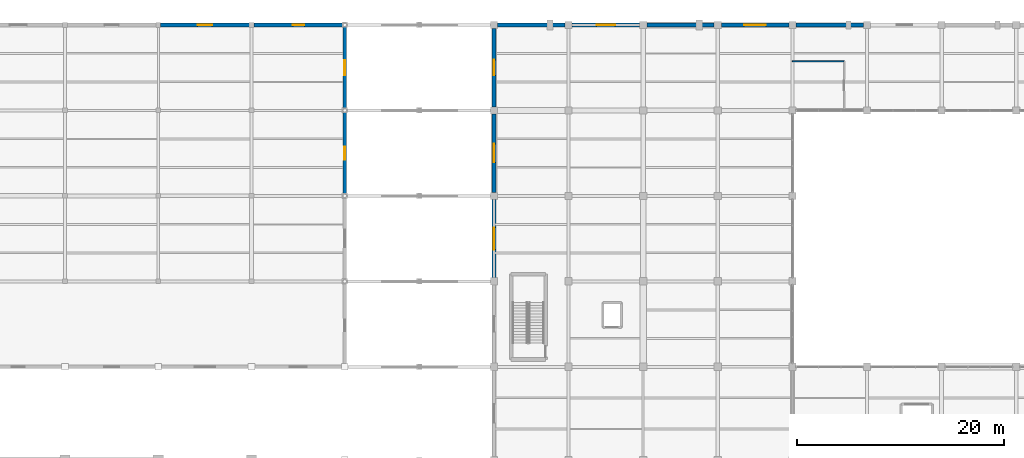
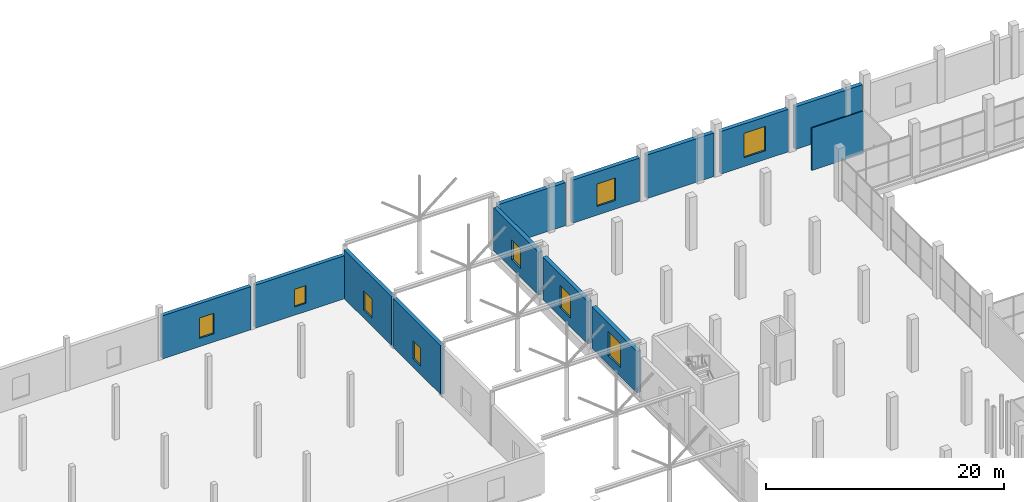
# One storey, part 134 of 147: 13 walls, 9 windows, 9 openings.
"""IFC4 building model written with IfcOpenShell, lengths in metres."""

from ifc_helpers import new_model, si_unit, direction, frame, frame_2d, origin, place, context, subcontext, project, spatial, rectangle, extrude, material, layer, layer_set, type_object, element, fill, save


model = new_model("IFC4")

# Units and contexts
model_context = context("Model", 3, precision=1e-05, world=origin(), true_north=direction((0.0, 1.0)))
body_context = subcontext(model_context, "Body", "Model", "MODEL_VIEW")
ifc_project = project(units=[si_unit("LENGTHUNIT", "METRE"), si_unit("AREAUNIT", "SQUARE_METRE"), si_unit("VOLUMEUNIT", "CUBIC_METRE"), si_unit("PLANEANGLEUNIT", "RADIAN"), si_unit("MASSUNIT", "GRAM", prefix="KILO")], contexts=[model_context])

# Site, building, storey
site_placement = place(None, origin())
site = spatial("IfcSite", under=ifc_project, at=site_placement, CompositionType="ELEMENT")
building_placement = place(site_placement, origin())
building = spatial("IfcBuilding", under=site, at=building_placement, Name="Sundgate Opera House", CompositionType="ELEMENT")
storey_placement = place(building_placement, frame((0.0, 0.0, 6.0)))
storey = spatial("IfcBuildingStorey", under=building, at=storey_placement, Name="L01", CompositionType="ELEMENT", Elevation=6.0)

# Wall, opening, window
ifc_material_1 = material(Name="Scanian red-brown facing brick masonry", Category="masonry")
ifc_layer_1 = layer(ifc_material_1, 0.360107421875)
ifc_layer_set_1 = layer_set([ifc_layer_1], Name="Scanian red-brown facing brick masonry")
wall_type_1 = type_object("IfcWallType", Name="WL-EXT-BRICK-360", PredefinedType="SOLIDWALL", material=ifc_layer_set_1)
wall_1_placement = place(storey_placement, frame((63.219970703125, 120.0, 0.0), z_axis=(0.0, 0.0, 1.0), x_axis=(1.0, 0.0, 0.0)))
wall_1 = element("IfcWall", 1, at=wall_1_placement, inside=storey, type_object=wall_type_1, Name="L01 Costume Wing North Wall W0383", PredefinedType="SOLIDWALL", context=body_context, shape_type="SweptSolid", body=[
    extrude(rectangle(XDim=8.56005859375, YDim=0.360107421875, at=frame_2d((4.280029296875, 0.0))), origin(), (0.0, 0.0, 1.0), 4.4150390625),
])
opening_1_placement = place(wall_1_placement, frame((3.580078125, 0.0, 0.85009765625)))
opening_1 = element("IfcOpeningElement", 2, at=opening_1_placement, cuts=wall_1, Name="Opening W11", PredefinedType="OPENING", context=body_context, shape_type="SweptSolid", body=[
    extrude(rectangle(XDim=1.39990234375, YDim=2.10009765625, at=frame_2d((0.699951171875, 1.050048828125))), frame((0.0, 0.18994140625, 0.0), z_axis=(0.0, -1.0, 0.0), x_axis=(1.0, 0.0, 0.0)), (0.0, 0.0, 1.0), 0.380126953125),
])
ifc_material_2 = material(Name="Low-iron triple glazing in patinated bronze frame", Category="glass")
window_type_1 = type_object("IfcWindowType", Name="WN-FOYR-1400x2100", PartitioningType="SINGLE_PANEL", PredefinedType="WINDOW", material=ifc_material_2)
window_1_placement = place(opening_1_placement, origin())
window_1 = element("IfcWindow", 3, at=window_1_placement, inside=storey, type_object=window_type_1, Name="L01 Costume Pavilion Window WN0297", OverallHeight=2.10009765625, OverallWidth=1.39990234375, PartitioningType="SINGLE_PANEL", PredefinedType="WINDOW", context=body_context, shape_type="SweptSolid", body=[
    extrude(rectangle(XDim=1.39990234375, YDim=2.10009765625, at=frame_2d((0.699951171875, 1.050048828125))), frame((0.0, 0.030029296875, 0.0), z_axis=(0.0, -1.0, 0.0), x_axis=(1.0, 0.0, 0.0)), (0.0, 0.0, 1.0), 0.06005859375),
])
fill(opening_1, window_1)

wall_2_placement = place(storey_placement, frame((72.219970703125, 120.0, 0.0), z_axis=(0.0, 0.0, 1.0), x_axis=(1.0, 0.0, 0.0)))
wall_2 = element("IfcWall", 4, at=wall_2_placement, inside=storey, type_object=wall_type_1, Name="L01 Costume Wing North Wall W0384", PredefinedType="SOLIDWALL", context=body_context, shape_type="SweptSolid", body=[
    extrude(rectangle(XDim=8.64794921875, YDim=0.360107421875, at=frame_2d((4.323974609375, 0.0))), origin(), (0.0, 0.0, 1.0), 4.4150390625),
])
opening_2_placement = place(wall_2_placement, frame((3.77392578125, 0.0, 0.85009765625)))
opening_2 = element("IfcOpeningElement", 5, at=opening_2_placement, cuts=wall_2, Name="Opening W12", PredefinedType="OPENING", context=body_context, shape_type="SweptSolid", body=[
    extrude(rectangle(XDim=1.10009765625, YDim=1.800048828125, at=frame_2d((0.550048828125, 0.89990234375))), frame((0.0, 0.18994140625, 0.0), z_axis=(0.0, -1.0, 0.0), x_axis=(1.0, 0.0, 0.0)), (0.0, 0.0, 1.0), 0.380126953125),
])
ifc_material_3 = material(Name="Low-iron triple glazing in patinated bronze frame", Category="glass")
window_type_2 = type_object("IfcWindowType", Name="WN-STAGE-1100x1800", PartitioningType="SINGLE_PANEL", PredefinedType="WINDOW", material=ifc_material_3)
window_2_placement = place(opening_2_placement, origin())
window_2 = element("IfcWindow", 6, at=window_2_placement, inside=storey, type_object=window_type_2, Name="L01 Costume Pavilion Window WN0298", OverallHeight=1.800048828125, OverallWidth=1.10009765625, PartitioningType="SINGLE_PANEL", PredefinedType="WINDOW", context=body_context, shape_type="SweptSolid", body=[
    extrude(rectangle(XDim=1.10009765625, YDim=1.800048828125, at=frame_2d((0.550048828125, 0.89990234375))), frame((0.0, 0.030029296875, 0.0), z_axis=(0.0, -1.0, 0.0), x_axis=(1.0, 0.0, 0.0)), (0.0, 0.0, 1.0), 0.06005859375),
])
fill(opening_2, window_2)

wall_3_placement = place(storey_placement, frame((81.0, 103.632080078125, 0.0), z_axis=(0.0, 0.0, 1.0), x_axis=(0.0, 1.0, 0.0)))
wall_3 = element("IfcWall", 7, at=wall_3_placement, inside=storey, type_object=wall_type_1, Name="L01 Costume Wing East Wall W0391", PredefinedType="SOLIDWALL", context=body_context, shape_type="SweptSolid", body=[
    extrude(rectangle(XDim=7.98583984375, YDim=0.360107421875, at=frame_2d((3.992919921875, 0.0))), origin(), (0.0, 0.0, 1.0), 5.014892578125),
])
opening_3_placement = place(wall_3_placement, frame((3.367919921875, 0.0, 0.85009765625)))
opening_3 = element("IfcOpeningElement", 8, at=opening_3_placement, cuts=wall_3, Name="Opening W14", PredefinedType="OPENING", context=body_context, shape_type="SweptSolid", body=[
    extrude(rectangle(XDim=1.25, YDim=1.85009765625, at=frame_2d((0.625, 0.925048828125))), frame((0.0, 0.18994140625, 0.0), z_axis=(0.0, -1.0, 0.0), x_axis=(1.0, 0.0, 0.0)), (0.0, 0.0, 1.0), 0.380126953125),
])
ifc_material_4 = material(Name="Low-iron triple glazing in patinated bronze frame", Category="glass")
window_type_3 = type_object("IfcWindowType", Name="WN-DRES-1250x1850", PartitioningType="SINGLE_PANEL", PredefinedType="WINDOW", material=ifc_material_4)
window_3_placement = place(opening_3_placement, origin())
window_3 = element("IfcWindow", 9, at=window_3_placement, inside=storey, type_object=window_type_3, Name="L01 Costume Pavilion Window WN0305", OverallHeight=1.85009765625, OverallWidth=1.25, PartitioningType="SINGLE_PANEL", PredefinedType="WINDOW", context=body_context, shape_type="SweptSolid", body=[
    extrude(rectangle(XDim=1.25, YDim=1.85009765625, at=frame_2d((0.625, 0.925048828125))), frame((0.0, 0.030029296875, 0.0), z_axis=(0.0, -1.0, 0.0), x_axis=(1.0, 0.0, 0.0)), (0.0, 0.0, 1.0), 0.06005859375),
])
fill(opening_3, window_3)

wall_4_placement = place(storey_placement, frame((81.0, 111.882080078125, 0.0), z_axis=(0.0, 0.0, 1.0), x_axis=(0.0, 1.0, 0.0)))
wall_4 = element("IfcWall", 10, at=wall_4_placement, inside=storey, type_object=wall_type_1, Name="L01 Costume Wing East Wall W0392", PredefinedType="SOLIDWALL", context=body_context, shape_type="SweptSolid", body=[
    extrude(rectangle(XDim=7.98583984375, YDim=0.360107421875, at=frame_2d((3.992919921875, 0.0))), origin(), (0.0, 0.0, 1.0), 5.014892578125),
])
opening_4_placement = place(wall_4_placement, frame((3.26806640625, 0.0, 0.85009765625)))
opening_4 = element("IfcOpeningElement", 11, at=opening_4_placement, cuts=wall_4, Name="Opening W15", PredefinedType="OPENING", context=body_context, shape_type="SweptSolid", body=[
    extrude(rectangle(XDim=1.449951171875, YDim=1.949951171875, at=frame_2d((0.72509765625, 0.97509765625))), frame((0.0, 0.18994140625, 0.0), z_axis=(0.0, -1.0, 0.0), x_axis=(1.0, 0.0, 0.0)), (0.0, 0.0, 1.0), 0.380126953125),
])
ifc_material_5 = material(Name="Low-iron triple glazing in patinated bronze frame", Category="glass")
window_type_4 = type_object("IfcWindowType", Name="WN-LIBR-1450x1950", PartitioningType="SINGLE_PANEL", PredefinedType="WINDOW", material=ifc_material_5)
window_4_placement = place(opening_4_placement, origin())
window_4 = element("IfcWindow", 12, at=window_4_placement, inside=storey, type_object=window_type_4, Name="L01 Costume Pavilion Window WN0306", OverallHeight=1.949951171875, OverallWidth=1.449951171875, PartitioningType="SINGLE_PANEL", PredefinedType="WINDOW", context=body_context, shape_type="SweptSolid", body=[
    extrude(rectangle(XDim=1.449951171875, YDim=1.949951171875, at=frame_2d((0.72509765625, 0.97509765625))), frame((0.0, 0.030029296875, 0.0), z_axis=(0.0, -1.0, 0.0), x_axis=(1.0, 0.0, 0.0)), (0.0, 0.0, 1.0), 0.06005859375),
])
fill(opening_4, window_4)

# Wall
ifc_material_6 = material(Name="Scanian red-brown facing brick masonry", Category="masonry")
ifc_layer_2 = layer(ifc_material_6, 0.389892578125)
ifc_layer_set_2 = layer_set([ifc_layer_2], Name="Scanian red-brown facing brick masonry")
wall_type_2 = type_object("IfcWallType", Name="WL-EXT-BRICK-390", PredefinedType="SOLIDWALL", material=ifc_layer_set_2)
wall_5_placement = place(storey_placement, frame((95.7451171875, 120.0, 0.0), z_axis=(0.0, 0.0, 1.0), x_axis=(1.0, 0.0, 0.0)))
element("IfcWall", 13, at=wall_5_placement, inside=storey, type_object=wall_type_2, Name="L01 Conservatory North Brick Wall W0197", PredefinedType="SOLIDWALL", context=body_context, shape_type="SweptSolid", body=[
    extrude(rectangle(XDim=6.509765625, YDim=0.389892578125, at=frame_2d((3.2548828125, 0.0))), origin(), (0.0, 0.0, 1.0), 4.425048828125),
])

# Wall, opening, window
wall_6_placement = place(storey_placement, frame((102.945068359375, 120.0, 0.0), z_axis=(0.0, 0.0, 1.0), x_axis=(1.0, 0.0, 0.0)))
wall_6 = element("IfcWall", 14, at=wall_6_placement, inside=storey, type_object=wall_type_2, Name="L01 Conservatory North Brick Wall W0198", PredefinedType="SOLIDWALL", context=body_context, shape_type="SweptSolid", body=[
    extrude(rectangle(XDim=6.510009765625, YDim=0.389892578125, at=frame_2d((3.2548828125, 0.0))), origin(), (0.0, 0.0, 1.0), 4.425048828125),
])
opening_5_placement = place(wall_6_placement, frame((2.35498046875, 0.0, 0.89990234375)))
opening_5 = element("IfcOpeningElement", 15, at=opening_5_placement, cuts=wall_6, Name="Opening W05", PredefinedType="OPENING", context=body_context, shape_type="SweptSolid", body=[
    extrude(rectangle(XDim=1.800048828125, YDim=2.300048828125, at=frame_2d((0.89990234375, 1.14990234375))), frame((0.0, 0.204833984375, 0.0), z_axis=(0.0, -1.0, 0.0), x_axis=(1.0, 0.0, 0.0)), (0.0, 0.0, 1.0), 0.409912109375),
])
ifc_material_7 = material(Name="Low-iron triple glazing in patinated bronze frame", Category="glass")
window_type_5 = type_object("IfcWindowType", Name="WN-CONS-1800x2300", PartitioningType="SINGLE_PANEL", PredefinedType="WINDOW", material=ifc_material_7)
window_5_placement = place(opening_5_placement, origin())
window_5 = element("IfcWindow", 16, at=window_5_placement, inside=storey, type_object=window_type_5, Name="L01 Conservatory Window WN0155", OverallHeight=2.300048828125, OverallWidth=1.800048828125, PartitioningType="SINGLE_PANEL", PredefinedType="WINDOW", context=body_context, shape_type="SweptSolid", body=[
    extrude(rectangle(XDim=1.800048828125, YDim=2.300048828125, at=frame_2d((0.89990234375, 1.14990234375))), frame((0.0, 0.030029296875, 0.0), z_axis=(0.0, -1.0, 0.0), x_axis=(1.0, 0.0, 0.0)), (0.0, 0.0, 1.0), 0.06005859375),
])
fill(opening_5, window_5)

# Wall
wall_7_placement = place(storey_placement, frame((110.14501953125, 120.0, 0.0), z_axis=(0.0, 0.0, 1.0), x_axis=(1.0, 0.0, 0.0)))
element("IfcWall", 17, at=wall_7_placement, inside=storey, type_object=wall_type_2, Name="L01 Conservatory North Brick Wall W0199", PredefinedType="SOLIDWALL", context=body_context, shape_type="SweptSolid", body=[
    extrude(rectangle(XDim=6.510009765625, YDim=0.389892578125, at=frame_2d((3.2548828125, 0.0))), origin(), (0.0, 0.0, 1.0), 4.465087890625),
])

# Wall, opening, window
wall_8_placement = place(storey_placement, frame((117.344970703125, 120.0, 0.0), z_axis=(0.0, 0.0, 1.0), x_axis=(1.0, 0.0, 0.0)))
wall_8 = element("IfcWall", 18, at=wall_8_placement, inside=storey, type_object=wall_type_2, Name="L01 Conservatory North Brick Wall W0200", PredefinedType="SOLIDWALL", context=body_context, shape_type="SweptSolid", body=[
    extrude(rectangle(XDim=6.510009765625, YDim=0.389892578125, at=frame_2d((3.2548828125, 0.0))), origin(), (0.0, 0.0, 1.0), 4.364990234375),
])
opening_6_placement = place(wall_8_placement, frame((2.205078125, 0.0, 0.89990234375)))
opening_6 = element("IfcOpeningElement", 19, at=opening_6_placement, cuts=wall_8, Name="Opening W04", PredefinedType="OPENING", context=body_context, shape_type="SweptSolid", body=[
    extrude(rectangle(XDim=2.10009765625, YDim=2.5, at=frame_2d((1.050048828125, 1.25))), frame((0.0, 0.204833984375, 0.0), z_axis=(0.0, -1.0, 0.0), x_axis=(1.0, 0.0, 0.0)), (0.0, 0.0, 1.0), 0.409912109375),
])
ifc_material_8 = material(Name="Low-iron triple glazing in patinated bronze frame", Category="glass")
window_type_6 = type_object("IfcWindowType", Name="WN-CONS-2100x2500", PartitioningType="SINGLE_PANEL", PredefinedType="WINDOW", material=ifc_material_8)
window_6_placement = place(opening_6_placement, origin())
window_6 = element("IfcWindow", 20, at=window_6_placement, inside=storey, type_object=window_type_6, Name="L01 Conservatory Window WN0156", OverallHeight=2.5, OverallWidth=2.10009765625, PartitioningType="SINGLE_PANEL", PredefinedType="WINDOW", context=body_context, shape_type="SweptSolid", body=[
    extrude(rectangle(XDim=2.10009765625, YDim=2.5, at=frame_2d((1.050048828125, 1.25))), frame((0.0, 0.030029296875, 0.0), z_axis=(0.0, -1.0, 0.0), x_axis=(1.0, 0.0, 0.0)), (0.0, 0.0, 1.0), 0.06005859375),
])
fill(opening_6, window_6)

# Wall
wall_9_placement = place(storey_placement, frame((124.544921875, 120.0, 0.0), z_axis=(0.0, 0.0, 1.0), x_axis=(1.0, 0.0, 0.0)))
element("IfcWall", 21, at=wall_9_placement, inside=storey, type_object=wall_type_2, Name="L01 Conservatory North Brick Wall W0201", PredefinedType="SOLIDWALL", context=body_context, shape_type="SweptSolid", body=[
    extrude(rectangle(XDim=6.510009765625, YDim=0.389892578125, at=frame_2d((3.2548828125, 0.0))), origin(), (0.0, 0.0, 1.0), 4.364990234375),
])

# Wall, opening, window
wall_10_placement = place(storey_placement, frame((95.39990234375, 103.155029296875, 0.0), z_axis=(0.0, 0.0, 1.0), x_axis=(0.0, -1.0, 0.0)))
wall_10 = element("IfcWall", 22, at=wall_10_placement, inside=storey, type_object=wall_type_2, Name="L01 Conservatory West Brick Wall W0217", PredefinedType="SOLIDWALL", context=body_context, shape_type="SweptSolid", body=[
    extrude(rectangle(XDim=7.56005859375, YDim=0.389892578125, at=frame_2d((3.780029296875, 0.0))), origin(), (0.0, 0.0, 1.0), 4.264892578125),
])
opening_7_placement = place(wall_10_placement, frame((2.72998046875, 0.0, 0.89990234375)))
opening_7 = element("IfcOpeningElement", 23, at=opening_7_placement, cuts=wall_10, Name="Opening W04", PredefinedType="OPENING", context=body_context, shape_type="SweptSolid", body=[
    extrude(rectangle(XDim=2.10009765625, YDim=2.5, at=frame_2d((1.050048828125, 1.25))), frame((0.0, 0.204833984375, 0.0), z_axis=(0.0, -1.0, 0.0), x_axis=(1.0, 0.0, 0.0)), (0.0, 0.0, 1.0), 0.409912109375),
])
window_7_placement = place(opening_7_placement, origin())
window_7 = element("IfcWindow", 24, at=window_7_placement, inside=storey, type_object=window_type_6, Name="L01 Conservatory Window WN0170", OverallHeight=2.5, OverallWidth=2.10009765625, PartitioningType="SINGLE_PANEL", PredefinedType="WINDOW", context=body_context, shape_type="SweptSolid", body=[
    extrude(rectangle(XDim=2.10009765625, YDim=2.5, at=frame_2d((1.050048828125, 1.25))), frame((0.0, 0.030029296875, 0.0), z_axis=(0.0, -1.0, 0.0), x_axis=(1.0, 0.0, 0.0)), (0.0, 0.0, 1.0), 0.06005859375),
])
fill(opening_7, window_7)

wall_11_placement = place(storey_placement, frame((95.39990234375, 111.405029296875, 0.0), z_axis=(0.0, 0.0, 1.0), x_axis=(0.0, -1.0, 0.0)))
wall_11 = element("IfcWall", 25, at=wall_11_placement, inside=storey, type_object=wall_type_2, Name="L01 Conservatory West Brick Wall W0218", PredefinedType="SOLIDWALL", context=body_context, shape_type="SweptSolid", body=[
    extrude(rectangle(XDim=7.56005859375, YDim=0.389892578125, at=frame_2d((3.780029296875, 0.0))), origin(), (0.0, 0.0, 1.0), 4.364990234375),
])
opening_8_placement = place(wall_11_placement, frame((2.8798828125, 0.0, 0.89990234375)))
opening_8 = element("IfcOpeningElement", 26, at=opening_8_placement, cuts=wall_11, Name="Opening W05", PredefinedType="OPENING", context=body_context, shape_type="SweptSolid", body=[
    extrude(rectangle(XDim=1.800048828125, YDim=2.300048828125, at=frame_2d((0.89990234375, 1.14990234375))), frame((0.0, 0.204833984375, 0.0), z_axis=(0.0, -1.0, 0.0), x_axis=(1.0, 0.0, 0.0)), (0.0, 0.0, 1.0), 0.409912109375),
])
window_8_placement = place(opening_8_placement, origin())
window_8 = element("IfcWindow", 27, at=window_8_placement, inside=storey, type_object=window_type_5, Name="L01 Conservatory Window WN0171", OverallHeight=2.300048828125, OverallWidth=1.800048828125, PartitioningType="SINGLE_PANEL", PredefinedType="WINDOW", context=body_context, shape_type="SweptSolid", body=[
    extrude(rectangle(XDim=1.800048828125, YDim=2.300048828125, at=frame_2d((0.89990234375, 1.14990234375))), frame((0.0, 0.030029296875, 0.0), z_axis=(0.0, -1.0, 0.0), x_axis=(1.0, 0.0, 0.0)), (0.0, 0.0, 1.0), 0.06005859375),
])
fill(opening_8, window_8)

wall_12_placement = place(storey_placement, frame((95.39990234375, 119.655029296875, 0.0), z_axis=(0.0, 0.0, 1.0), x_axis=(0.0, -1.0, 0.0)))
wall_12 = element("IfcWall", 28, at=wall_12_placement, inside=storey, type_object=wall_type_2, Name="L01 Conservatory West Brick Wall W0219", PredefinedType="SOLIDWALL", context=body_context, shape_type="SweptSolid", body=[
    extrude(rectangle(XDim=7.56005859375, YDim=0.389892578125, at=frame_2d((3.780029296875, 0.0))), origin(), (0.0, 0.0, 1.0), 4.4150390625),
])
opening_9_placement = place(wall_12_placement, frame((3.030029296875, 0.0, 0.89990234375)))
opening_9 = element("IfcOpeningElement", 29, at=opening_9_placement, cuts=wall_12, Name="Opening W06", PredefinedType="OPENING", context=body_context, shape_type="SweptSolid", body=[
    extrude(rectangle(XDim=1.5, YDim=2.050048828125, at=frame_2d((0.75, 1.02490234375))), frame((0.0, 0.204833984375, 0.0), z_axis=(0.0, -1.0, 0.0), x_axis=(1.0, 0.0, 0.0)), (0.0, 0.0, 1.0), 0.409912109375),
])
ifc_material_9 = material(Name="Low-iron triple glazing in patinated bronze frame", Category="glass")
window_type_7 = type_object("IfcWindowType", Name="WN-CONS-1500x2050", PartitioningType="SINGLE_PANEL", PredefinedType="WINDOW", material=ifc_material_9)
window_9_placement = place(opening_9_placement, origin())
window_9 = element("IfcWindow", 30, at=window_9_placement, inside=storey, type_object=window_type_7, Name="L01 Conservatory Window WN0172", OverallHeight=2.050048828125, OverallWidth=1.5, PartitioningType="SINGLE_PANEL", PredefinedType="WINDOW", context=body_context, shape_type="SweptSolid", body=[
    extrude(rectangle(XDim=1.5, YDim=2.050048828125, at=frame_2d((0.75, 1.02490234375))), frame((0.0, 0.030029296875, 0.0), z_axis=(0.0, -1.0, 0.0), x_axis=(1.0, 0.0, 0.0)), (0.0, 0.0, 1.0), 0.06005859375),
])
fill(opening_9, window_9)

# Wall
ifc_material_10 = material(Name="Moisture-resistant sanitary partition", Category="gypsum")
ifc_layer_3 = layer(ifc_material_10, 0.114990234375)
ifc_layer_set_3 = layer_set([ifc_layer_3], Name="Moisture-resistant sanitary partition")
wall_type_3 = type_object("IfcWallType", Name="WL-INT-WET-115", PredefinedType="PARTITIONING", material=ifc_layer_set_3)
wall_13_placement = place(storey_placement, frame((124.199951171875, 116.5, 0.0), z_axis=(0.0, 0.0, 1.0), x_axis=(1.0, 0.0, 0.0)))
element("IfcWall", 31, at=wall_13_placement, inside=storey, type_object=wall_type_3, Name="L01 Interior Partition W1043", PredefinedType="PARTITIONING", context=body_context, shape_type="SweptSolid", body=[
    extrude(rectangle(XDim=5.0, YDim=0.114990234375, at=frame_2d((2.5, 0.0))), origin(), (0.0, 0.0, 1.0), 4.364990234375),
])

save(model, "model.ifc")
